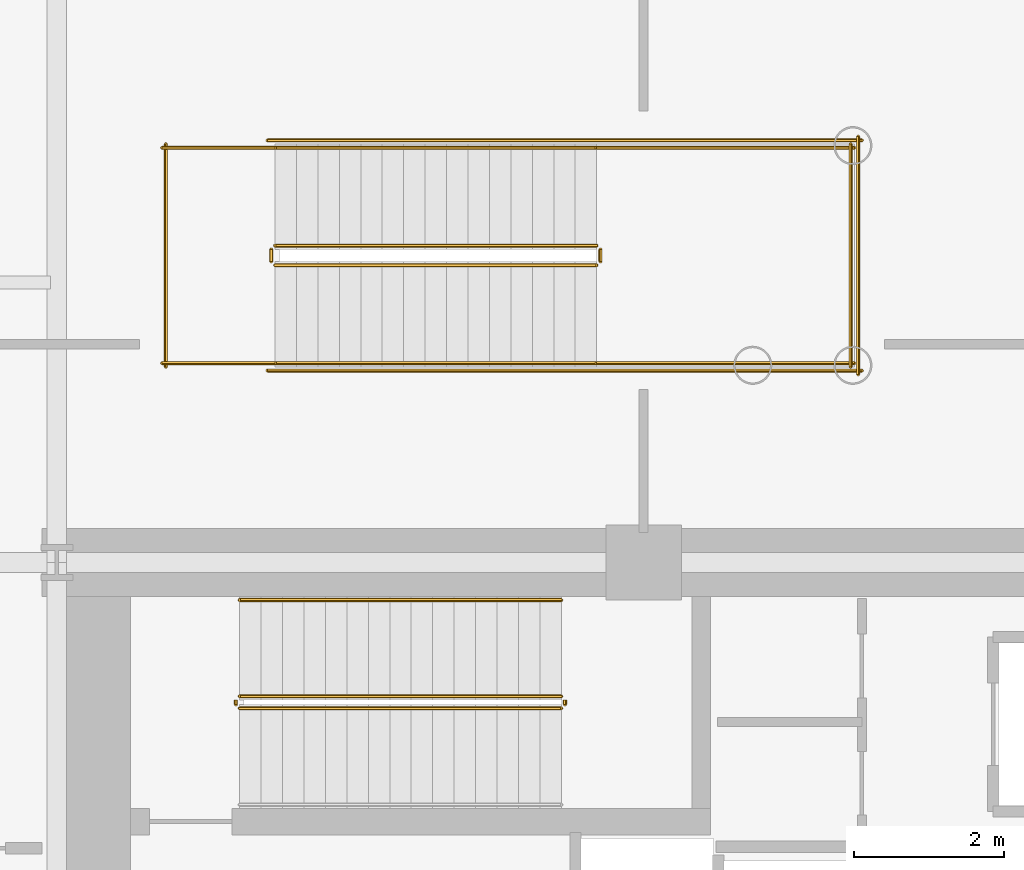
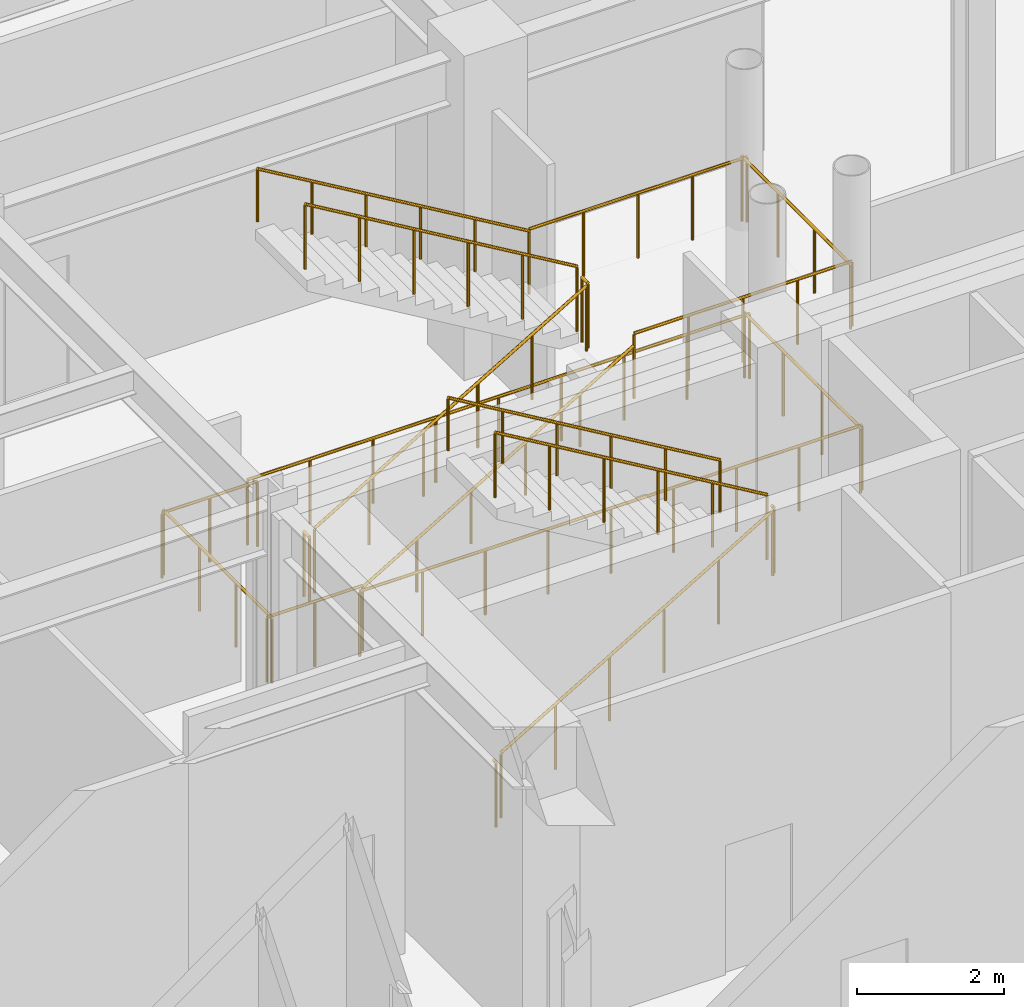
# One storey, part 15 of 15: 20 railings.
"""IFC4 building model written with IfcOpenShell, lengths in metres."""

from ifc_helpers import new_model, si_unit, direction, frame, origin, origin_2d, place, context, subcontext, project, spatial, circle, extrude, material, type_object, element, save


model = new_model("IFC4")

# Units and contexts
model_context = context("Model", 3, precision=1e-05, world=origin(), true_north=direction((0.0, 1.0)))
body_context = subcontext(model_context, "Body", "Model", "MODEL_VIEW")
ifc_project = project(units=[si_unit("LENGTHUNIT", "METRE"), si_unit("AREAUNIT", "SQUARE_METRE"), si_unit("VOLUMEUNIT", "CUBIC_METRE"), si_unit("PLANEANGLEUNIT", "RADIAN"), si_unit("MASSUNIT", "GRAM", prefix="KILO")], contexts=[model_context])

# Site, building, storey
site_placement = place(None, origin())
site = spatial("IfcSite", under=ifc_project, at=site_placement, CompositionType="ELEMENT")
building_placement = place(site_placement, origin())
building = spatial("IfcBuilding", under=site, at=building_placement, Name="Veymaron Broadcast Tower", CompositionType="ELEMENT")
storey_placement = place(building_placement, frame((0.0, 0.0, 5.39990234375)))
storey = spatial("IfcBuildingStorey", under=building, at=storey_placement, Name="L01", CompositionType="ELEMENT", Elevation=5.39990234375)

# Railings
ifc_material_1 = material(Name="Brushed stainless steel AISI 304", Category="steel")
railing_type_1 = type_object("IfcRailingType", Name="RAIL-STAIR-HR", PredefinedType="HANDRAIL", material=ifc_material_1)
railing_1_placement = place(storey_placement, frame((45.705078125, 31.5, 2.868896484375)))
element("IfcRailing", 1, at=railing_1_placement, inside=storey, type_object=railing_type_1, Name="L01 ST1 stair handrail 2", PredefinedType="HANDRAIL", context=body_context, shape_type="SweptSolid", body=[
    extrude(circle(Radius=0.02392578125, at=origin_2d()), frame((0.0, 0.0, 0.8759765625), z_axis=(-0.860483042394, 0.0, 0.50947908078), x_axis=(0.0, -1.0, 0.0)), (0.0, 0.0, 1.0), 4.96826171875),
    extrude(circle(Radius=0.02099609375, at=origin_2d()), origin(), (0.0, 0.0, 1.0), 0.851806640625),
    extrude(circle(Radius=0.02099609375, at=origin_2d()), frame((-0.85498046875, 0.0, 0.50634765625)), (0.0, 0.0, 1.0), 0.851806640625),
    extrude(circle(Radius=0.02099609375, at=origin_2d()), frame((-1.7099609375, 0.0, 1.012451171875)), (0.0, 0.0, 1.0), 0.851806640625),
    extrude(circle(Radius=0.02099609375, at=origin_2d()), frame((-2.565185546875, 0.0, 1.518798828125)), (0.0, 0.0, 1.0), 0.851806640625),
    extrude(circle(Radius=0.02099609375, at=origin_2d()), frame((-3.420166015625, 0.0, 2.02490234375)), (0.0, 0.0, 1.0), 0.851806640625),
    extrude(circle(Radius=0.02099609375, at=origin_2d()), frame((-4.275146484375, 0.0, 2.53125)), (0.0, 0.0, 1.0), 0.851806640625),
])
railing_2_placement = place(storey_placement, frame((41.89990234375, 34.64990234375, 0.1689453125)))
element("IfcRailing", 2, at=railing_2_placement, inside=storey, type_object=railing_type_1, Name="L01 STF1 stair handrail 1", PredefinedType="HANDRAIL", context=body_context, shape_type="SweptSolid", body=[
    extrude(circle(Radius=0.02392578125, at=origin_2d()), frame((0.0, 0.0, 0.8759765625), z_axis=(0.860483042394, 0.0, 0.50947908078), x_axis=(0.0, 1.0, 0.0)), (0.0, 0.0, 1.0), 4.96826171875),
    extrude(circle(Radius=0.02099609375, at=origin_2d()), origin(), (0.0, 0.0, 1.0), 0.851806640625),
    extrude(circle(Radius=0.02099609375, at=origin_2d()), frame((0.85498046875, 0.0, 0.50634765625)), (0.0, 0.0, 1.0), 0.851806640625),
    extrude(circle(Radius=0.02099609375, at=origin_2d()), frame((1.7099609375, 0.0, 1.012451171875)), (0.0, 0.0, 1.0), 0.851806640625),
    extrude(circle(Radius=0.02099609375, at=origin_2d()), frame((2.565185546875, 0.0, 1.518798828125)), (0.0, 0.0, 1.0), 0.851806640625),
    extrude(circle(Radius=0.02099609375, at=origin_2d()), frame((3.420166015625, 0.0, 2.02490234375)), (0.0, 0.0, 1.0), 0.851806640625),
    extrude(circle(Radius=0.02099609375, at=origin_2d()), frame((4.275146484375, 0.0, 2.53125)), (0.0, 0.0, 1.0), 0.851806640625),
])
railing_3_placement = place(storey_placement, frame((46.175048828125, 37.510009765625, 2.868896484375)))
element("IfcRailing", 3, at=railing_3_placement, inside=storey, type_object=railing_type_1, Name="L01 STF1 stair handrail 2", PredefinedType="HANDRAIL", context=body_context, shape_type="SweptSolid", body=[
    extrude(circle(Radius=0.02392578125, at=origin_2d()), frame((0.0, 0.0, 0.8759765625), z_axis=(-0.860483042394, 0.0, 0.50947908078), x_axis=(0.0, -1.0, 0.0)), (0.0, 0.0, 1.0), 4.96826171875),
    extrude(circle(Radius=0.02099609375, at=origin_2d()), origin(), (0.0, 0.0, 1.0), 0.851806640625),
    extrude(circle(Radius=0.02099609375, at=origin_2d()), frame((-0.85498046875, 0.0, 0.50634765625)), (0.0, 0.0, 1.0), 0.851806640625),
    extrude(circle(Radius=0.02099609375, at=origin_2d()), frame((-1.7099609375, 0.0, 1.012451171875)), (0.0, 0.0, 1.0), 0.851806640625),
    extrude(circle(Radius=0.02099609375, at=origin_2d()), frame((-2.565185546875, 0.0, 1.518798828125)), (0.0, 0.0, 1.0), 0.851806640625),
    extrude(circle(Radius=0.02099609375, at=origin_2d()), frame((-3.420166015625, 0.0, 2.02490234375)), (0.0, 0.0, 1.0), 0.851806640625),
    extrude(circle(Radius=0.02099609375, at=origin_2d()), frame((-4.275146484375, 0.0, 2.53125)), (0.0, 0.0, 1.0), 0.851806640625),
])
ifc_material_2 = material(Name="Painted galvanized steel balustrade", Category="steel")
railing_type_2 = type_object("IfcRailingType", Name="RAIL-WELL-GRD", PredefinedType="GUARDRAIL", material=ifc_material_2)
railing_4_placement = place(storey_placement, frame((41.429931640625, 30.06005859375, 0.1689453125)))
element("IfcRailing", 4, at=railing_4_placement, inside=storey, type_object=railing_type_2, Name="L01 ST1 stair guard 1", PredefinedType="GUARDRAIL", context=body_context, shape_type="SweptSolid", body=[
    extrude(circle(Radius=0.02392578125, at=origin_2d()), frame((0.0, 0.0, 1.076171875), z_axis=(0.860483042394, 0.0, 0.50947908078), x_axis=(0.0, 1.0, 0.0)), (0.0, 0.0, 1.0), 4.96826171875),
    extrude(circle(Radius=0.02099609375, at=origin_2d()), origin(), (0.0, 0.0, 1.0), 1.052001953125),
    extrude(circle(Radius=0.02099609375, at=origin_2d()), frame((0.85498046875, 0.0, 0.50634765625)), (0.0, 0.0, 1.0), 1.052001953125),
    extrude(circle(Radius=0.02099609375, at=origin_2d()), frame((1.7099609375, 0.0, 1.012451171875)), (0.0, 0.0, 1.0), 1.052001953125),
    extrude(circle(Radius=0.02099609375, at=origin_2d()), frame((2.565185546875, 0.0, 1.518798828125)), (0.0, 0.0, 1.0), 1.052001953125),
    extrude(circle(Radius=0.02099609375, at=origin_2d()), frame((3.420166015625, 0.0, 2.02490234375)), (0.0, 0.0, 1.0), 1.052001953125),
    extrude(circle(Radius=0.02099609375, at=origin_2d()), frame((4.275146484375, 0.0, 2.53125)), (0.0, 0.0, 1.0), 1.052001953125),
])
railing_5_placement = place(storey_placement, frame((45.7548828125, 30.110107421875, 2.7001953125)))
element("IfcRailing", 5, at=railing_5_placement, inside=storey, type_object=railing_type_2, Name="L01 ST1 stair guard 2", PredefinedType="GUARDRAIL", context=body_context, shape_type="SweptSolid", body=[
    extrude(circle(Radius=0.02392578125, at=origin_2d()), frame((0.0, 0.0, 1.076171875), z_axis=(0.0, 1.0, 0.0), x_axis=(-1.0, 0.0, 0.0)), (0.0, 0.0, 1.0), 0.059814453125),
    extrude(circle(Radius=0.02099609375, at=origin_2d()), origin(), (0.0, 0.0, 1.0), 1.052001953125),
])
railing_6_placement = place(storey_placement, frame((45.705078125, 30.219970703125, 2.868896484375)))
element("IfcRailing", 6, at=railing_6_placement, inside=storey, type_object=railing_type_2, Name="L01 ST1 stair guard 3", PredefinedType="GUARDRAIL", context=body_context, shape_type="SweptSolid", body=[
    extrude(circle(Radius=0.02392578125, at=origin_2d()), frame((0.0, 0.0, 1.076171875), z_axis=(-0.860483042394, 0.0, 0.50947908078), x_axis=(0.0, -1.0, 0.0)), (0.0, 0.0, 1.0), 4.96826171875),
    extrude(circle(Radius=0.02099609375, at=origin_2d()), origin(), (0.0, 0.0, 1.0), 1.052001953125),
    extrude(circle(Radius=0.02099609375, at=origin_2d()), frame((-0.85498046875, 0.0, 0.50634765625)), (0.0, 0.0, 1.0), 1.052001953125),
    extrude(circle(Radius=0.02099609375, at=origin_2d()), frame((-1.7099609375, 0.0, 1.012451171875)), (0.0, 0.0, 1.0), 1.052001953125),
    extrude(circle(Radius=0.02099609375, at=origin_2d()), frame((-2.565185546875, 0.0, 1.518798828125)), (0.0, 0.0, 1.0), 1.052001953125),
    extrude(circle(Radius=0.02099609375, at=origin_2d()), frame((-3.420166015625, 0.0, 2.02490234375)), (0.0, 0.0, 1.0), 1.052001953125),
    extrude(circle(Radius=0.02099609375, at=origin_2d()), frame((-4.275146484375, 0.0, 2.53125)), (0.0, 0.0, 1.0), 1.052001953125),
])
railing_7_placement = place(storey_placement, frame((41.3798828125, 30.110107421875, 0.0)))
element("IfcRailing", 7, at=railing_7_placement, inside=storey, type_object=railing_type_2, Name="L01 ST1 stair guard 4", PredefinedType="GUARDRAIL", context=body_context, shape_type="SweptSolid", body=[
    extrude(circle(Radius=0.02392578125, at=origin_2d()), frame((0.0, 0.0, 1.076171875), z_axis=(0.0, 1.0, 0.0), x_axis=(-1.0, 0.0, 0.0)), (0.0, 0.0, 1.0), 0.059814453125),
    extrude(circle(Radius=0.02099609375, at=origin_2d()), origin(), (0.0, 0.0, 1.0), 1.052001953125),
])
railing_8_placement = place(storey_placement, frame((41.89990234375, 35.949951171875, 0.1689453125)))
element("IfcRailing", 8, at=railing_8_placement, inside=storey, type_object=railing_type_2, Name="L01 STF1 stair guard 1", PredefinedType="GUARDRAIL", context=body_context, shape_type="SweptSolid", body=[
    extrude(circle(Radius=0.02392578125, at=origin_2d()), frame((0.0, 0.0, 1.076171875), z_axis=(0.860483042394, 0.0, 0.50947908078), x_axis=(0.0, 1.0, 0.0)), (0.0, 0.0, 1.0), 4.96826171875),
    extrude(circle(Radius=0.02099609375, at=origin_2d()), origin(), (0.0, 0.0, 1.0), 1.052001953125),
    extrude(circle(Radius=0.02099609375, at=origin_2d()), frame((0.85498046875, 0.0, 0.50634765625)), (0.0, 0.0, 1.0), 1.052001953125),
    extrude(circle(Radius=0.02099609375, at=origin_2d()), frame((1.7099609375, 0.0, 1.012451171875)), (0.0, 0.0, 1.0), 1.052001953125),
    extrude(circle(Radius=0.02099609375, at=origin_2d()), frame((2.565185546875, 0.0, 1.518798828125)), (0.0, 0.0, 1.0), 1.052001953125),
    extrude(circle(Radius=0.02099609375, at=origin_2d()), frame((3.420166015625, 0.0, 2.02490234375)), (0.0, 0.0, 1.0), 1.052001953125),
    extrude(circle(Radius=0.02099609375, at=origin_2d()), frame((4.275146484375, 0.0, 2.53125)), (0.0, 0.0, 1.0), 1.052001953125),
])
railing_9_placement = place(storey_placement, frame((46.22509765625, 36.0, 2.7001953125)))
element("IfcRailing", 9, at=railing_9_placement, inside=storey, type_object=railing_type_2, Name="L01 STF1 stair guard 2", PredefinedType="GUARDRAIL", context=body_context, shape_type="SweptSolid", body=[
    extrude(circle(Radius=0.02392578125, at=origin_2d()), frame((0.0, 0.0, 1.076171875), z_axis=(0.0, 1.0, 0.0), x_axis=(-1.0, 0.0, 0.0)), (0.0, 0.0, 1.0), 0.159912109375),
    extrude(circle(Radius=0.02099609375, at=origin_2d()), origin(), (0.0, 0.0, 1.0), 1.052001953125),
    extrude(circle(Radius=0.02099609375, at=origin_2d()), frame((0.0, 0.159912109375, 0.0)), (0.0, 0.0, 1.0), 1.052001953125),
])
for number, where, name in (
    (10, (46.175048828125, 34.64990234375, 2.7001953125), "L01 STF1 stair guard 3"),
    (11, (46.175048828125, 37.510009765625, 2.7001953125), "L01 STF1 stair guard 4"),
):
    element("IfcRailing", number, at=place(storey_placement, frame(where)), inside=storey, type_object=railing_type_2, Name=name, PredefinedType="GUARDRAIL", context=body_context, shape_type="SweptSolid", body=[
        extrude(circle(Radius=0.02392578125, at=origin_2d()), frame((0.0, 0.0, 1.076171875), z_axis=(1.0, 0.0, 0.0), x_axis=(0.0, 1.0, 0.0)), (0.0, 0.0, 1.0), 3.425048828125),
        extrude(circle(Radius=0.02099609375, at=origin_2d()), origin(), (0.0, 0.0, 1.0), 1.052001953125),
        extrude(circle(Radius=0.02099609375, at=origin_2d()), frame((0.856201171875, 0.0, 0.0)), (0.0, 0.0, 1.0), 1.052001953125),
        extrude(circle(Radius=0.02099609375, at=origin_2d()), frame((1.71240234375, 0.0, 0.0)), (0.0, 0.0, 1.0), 1.052001953125),
        extrude(circle(Radius=0.02099609375, at=origin_2d()), frame((2.56884765625, 0.0, 0.0)), (0.0, 0.0, 1.0), 1.052001953125),
        extrude(circle(Radius=0.02099609375, at=origin_2d()), frame((3.425048828125, 0.0, 0.0)), (0.0, 0.0, 1.0), 1.052001953125),
    ])
railing_10_placement = place(storey_placement, frame((49.550048828125, 34.60009765625, 2.7001953125)))
element("IfcRailing", 12, at=railing_10_placement, inside=storey, type_object=railing_type_2, Name="L01 STF1 stair guard 5", PredefinedType="GUARDRAIL", context=body_context, shape_type="SweptSolid", body=[
    extrude(circle(Radius=0.02392578125, at=origin_2d()), frame((0.0, 0.0, 1.076171875), z_axis=(0.0, 1.0, 0.0), x_axis=(-1.0, 0.0, 0.0)), (0.0, 0.0, 1.0), 2.9599609375),
    extrude(circle(Radius=0.02099609375, at=origin_2d()), origin(), (0.0, 0.0, 1.0), 1.052001953125),
    extrude(circle(Radius=0.02099609375, at=origin_2d()), frame((0.0, 0.986572265625, 0.0)), (0.0, 0.0, 1.0), 1.052001953125),
    extrude(circle(Radius=0.02099609375, at=origin_2d()), frame((0.0, 1.973388671875, 0.0)), (0.0, 0.0, 1.0), 1.052001953125),
    extrude(circle(Radius=0.02099609375, at=origin_2d()), frame((0.0, 2.9599609375, 0.0)), (0.0, 0.0, 1.0), 1.052001953125),
])
railing_11_placement = place(storey_placement, frame((46.175048828125, 36.2099609375, 2.868896484375)))
element("IfcRailing", 13, at=railing_11_placement, inside=storey, type_object=railing_type_2, Name="L01 STF1 stair guard 6", PredefinedType="GUARDRAIL", context=body_context, shape_type="SweptSolid", body=[
    extrude(circle(Radius=0.02392578125, at=origin_2d()), frame((0.0, 0.0, 1.076171875), z_axis=(-0.860483042394, 0.0, 0.50947908078), x_axis=(0.0, -1.0, 0.0)), (0.0, 0.0, 1.0), 4.96826171875),
    extrude(circle(Radius=0.02099609375, at=origin_2d()), origin(), (0.0, 0.0, 1.0), 1.052001953125),
    extrude(circle(Radius=0.02099609375, at=origin_2d()), frame((-0.85498046875, 0.0, 0.50634765625)), (0.0, 0.0, 1.0), 1.052001953125),
    extrude(circle(Radius=0.02099609375, at=origin_2d()), frame((-1.7099609375, 0.0, 1.012451171875)), (0.0, 0.0, 1.0), 1.052001953125),
    extrude(circle(Radius=0.02099609375, at=origin_2d()), frame((-2.565185546875, 0.0, 1.518798828125)), (0.0, 0.0, 1.0), 1.052001953125),
    extrude(circle(Radius=0.02099609375, at=origin_2d()), frame((-3.420166015625, 0.0, 2.02490234375)), (0.0, 0.0, 1.0), 1.052001953125),
    extrude(circle(Radius=0.02099609375, at=origin_2d()), frame((-4.275146484375, 0.0, 2.53125)), (0.0, 0.0, 1.0), 1.052001953125),
])
railing_12_placement = place(storey_placement, frame((41.85009765625, 36.0, 0.0)))
element("IfcRailing", 14, at=railing_12_placement, inside=storey, type_object=railing_type_2, Name="L01 STF1 stair guard 7", PredefinedType="GUARDRAIL", context=body_context, shape_type="SweptSolid", body=[
    extrude(circle(Radius=0.02392578125, at=origin_2d()), frame((0.0, 0.0, 1.076171875), z_axis=(0.0, 1.0, 0.0), x_axis=(-1.0, 0.0, 0.0)), (0.0, 0.0, 1.0), 0.159912109375),
    extrude(circle(Radius=0.02099609375, at=origin_2d()), origin(), (0.0, 0.0, 1.0), 1.052001953125),
    extrude(circle(Radius=0.02099609375, at=origin_2d()), frame((0.0, 0.159912109375, 0.0)), (0.0, 0.0, 1.0), 1.052001953125),
])
for number, where, name in (
    (15, (40.39990234375, 34.64990234375, 0.0), "L01 STF1 stair guard 8"),
    (16, (40.39990234375, 37.510009765625, 0.0), "L01 STF1 stair guard 9"),
):
    element("IfcRailing", number, at=place(storey_placement, frame(where)), inside=storey, type_object=railing_type_2, Name=name, PredefinedType="GUARDRAIL", context=body_context, shape_type="SweptSolid", body=[
        extrude(circle(Radius=0.02392578125, at=origin_2d()), frame((0.0, 0.0, 1.076171875), z_axis=(1.0, 0.0, 0.0), x_axis=(0.0, 1.0, 0.0)), (0.0, 0.0, 1.0), 1.5),
        extrude(circle(Radius=0.02099609375, at=origin_2d()), origin(), (0.0, 0.0, 1.0), 1.052001953125),
        extrude(circle(Radius=0.02099609375, at=origin_2d()), frame((0.75, 0.0, 0.0)), (0.0, 0.0, 1.0), 1.052001953125),
        extrude(circle(Radius=0.02099609375, at=origin_2d()), frame((1.5, 0.0, 0.0)), (0.0, 0.0, 1.0), 1.052001953125),
    ])
railing_13_placement = place(storey_placement, frame((40.449951171875, 34.60009765625, 0.0)))
element("IfcRailing", 17, at=railing_13_placement, inside=storey, type_object=railing_type_2, Name="L01 STF1 stair guard 10", PredefinedType="GUARDRAIL", context=body_context, shape_type="SweptSolid", body=[
    extrude(circle(Radius=0.02392578125, at=origin_2d()), frame((0.0, 0.0, 1.076171875), z_axis=(0.0, 1.0, 0.0), x_axis=(-1.0, 0.0, 0.0)), (0.0, 0.0, 1.0), 2.9599609375),
    extrude(circle(Radius=0.02099609375, at=origin_2d()), origin(), (0.0, 0.0, 1.0), 1.052001953125),
    extrude(circle(Radius=0.02099609375, at=origin_2d()), frame((0.0, 0.986572265625, 0.0)), (0.0, 0.0, 1.0), 1.052001953125),
    extrude(circle(Radius=0.02099609375, at=origin_2d()), frame((0.0, 1.973388671875, 0.0)), (0.0, 0.0, 1.0), 1.052001953125),
    extrude(circle(Radius=0.02099609375, at=origin_2d()), frame((0.0, 2.9599609375, 0.0)), (0.0, 0.0, 1.0), 1.052001953125),
])
for number, where, name in (
    (18, (41.800048828125, 34.550048828125, 0.0), "L01 STF1 stair guard 11"),
    (19, (41.800048828125, 37.610107421875, 0.0), "L01 STF1 stair guard 12"),
):
    element("IfcRailing", number, at=place(storey_placement, frame(where)), inside=storey, type_object=railing_type_2, Name=name, PredefinedType="GUARDRAIL", context=body_context, shape_type="SweptSolid", body=[
        extrude(circle(Radius=0.02392578125, at=origin_2d()), frame((0.0, 0.0, 1.076171875), z_axis=(1.0, 0.0, 0.0), x_axis=(0.0, 1.0, 0.0)), (0.0, 0.0, 1.0), 7.89990234375),
        extrude(circle(Radius=0.02099609375, at=origin_2d()), origin(), (0.0, 0.0, 1.0), 1.052001953125),
        extrude(circle(Radius=0.02099609375, at=origin_2d()), frame((0.987548828125, 0.0, 0.0)), (0.0, 0.0, 1.0), 1.052001953125),
        extrude(circle(Radius=0.02099609375, at=origin_2d()), frame((1.97509765625, 0.0, 0.0)), (0.0, 0.0, 1.0), 1.052001953125),
        extrude(circle(Radius=0.02099609375, at=origin_2d()), frame((2.96240234375, 0.0, 0.0)), (0.0, 0.0, 1.0), 1.052001953125),
        extrude(circle(Radius=0.02099609375, at=origin_2d()), frame((3.949951171875, 0.0, 0.0)), (0.0, 0.0, 1.0), 1.052001953125),
        extrude(circle(Radius=0.02099609375, at=origin_2d()), frame((4.9375, 0.0, 0.0)), (0.0, 0.0, 1.0), 1.052001953125),
        extrude(circle(Radius=0.02099609375, at=origin_2d()), frame((5.9248046875, 0.0, 0.0)), (0.0, 0.0, 1.0), 1.052001953125),
        extrude(circle(Radius=0.02099609375, at=origin_2d()), frame((6.912353515625, 0.0, 0.0)), (0.0, 0.0, 1.0), 1.052001953125),
        extrude(circle(Radius=0.02099609375, at=origin_2d()), frame((7.89990234375, 0.0, 0.0)), (0.0, 0.0, 1.0), 1.052001953125),
    ])
railing_14_placement = place(storey_placement, frame((49.64990234375, 34.5, 0.0)))
element("IfcRailing", 20, at=railing_14_placement, inside=storey, type_object=railing_type_2, Name="L01 STF1 stair guard 13", PredefinedType="GUARDRAIL", context=body_context, shape_type="SweptSolid", body=[
    extrude(circle(Radius=0.02392578125, at=origin_2d()), frame((0.0, 0.0, 1.076171875), z_axis=(0.0, 1.0, 0.0), x_axis=(-1.0, 0.0, 0.0)), (0.0, 0.0, 1.0), 3.159912109375),
    extrude(circle(Radius=0.02099609375, at=origin_2d()), origin(), (0.0, 0.0, 1.0), 1.052001953125),
    extrude(circle(Radius=0.02099609375, at=origin_2d()), frame((0.0, 1.05322265625, 0.0)), (0.0, 0.0, 1.0), 1.052001953125),
    extrude(circle(Radius=0.02099609375, at=origin_2d()), frame((0.0, 2.106689453125, 0.0)), (0.0, 0.0, 1.0), 1.052001953125),
    extrude(circle(Radius=0.02099609375, at=origin_2d()), frame((0.0, 3.159912109375, 0.0)), (0.0, 0.0, 1.0), 1.052001953125),
])

save(model, "model.ifc")
